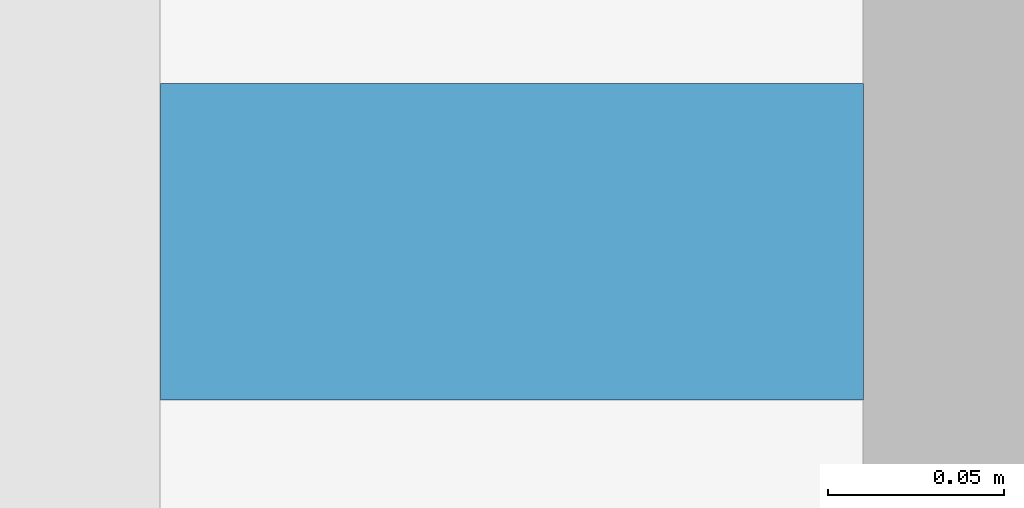
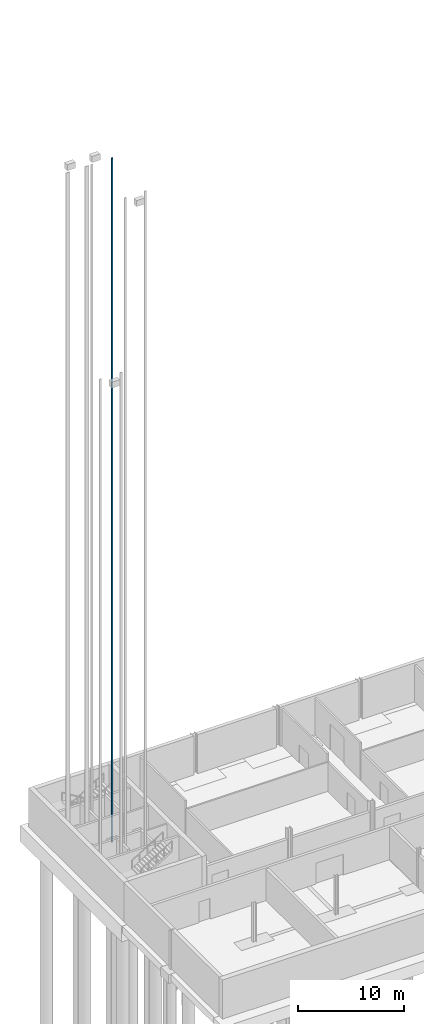
# One storey, part 25 of 41: 1 discrete accessory.
"""IFC4 building model written with IfcOpenShell, lengths in metres."""

from ifc_helpers import new_model, si_unit, direction, frame, origin, origin_2d, place, context, subcontext, project, spatial, rectangle, extrude, material, type_object, element, save


model = new_model("IFC4")

# Units and contexts
model_context = context("Model", 3, precision=1e-05, world=origin(), true_north=direction((0.0, 1.0)))
body_context = subcontext(model_context, "Body", "Model", "MODEL_VIEW")
ifc_project = project(units=[si_unit("LENGTHUNIT", "METRE"), si_unit("AREAUNIT", "SQUARE_METRE"), si_unit("VOLUMEUNIT", "CUBIC_METRE"), si_unit("PLANEANGLEUNIT", "RADIAN"), si_unit("MASSUNIT", "GRAM", prefix="KILO")], contexts=[model_context])

# Site, building, storey
site_placement = place(None, origin())
site = spatial("IfcSite", under=ifc_project, at=site_placement, CompositionType="ELEMENT")
building_placement = place(site_placement, origin())
building = spatial("IfcBuilding", under=site, at=building_placement, Name="Corbel Yard City Hall", CompositionType="ELEMENT")
storey_placement = place(building_placement, frame((0.0, 0.0, -4.5)))
storey = spatial("IfcBuildingStorey", under=building, at=storey_placement, Name="B1", CompositionType="ELEMENT", Elevation=-4.5)

# Discrete accessory
ifc_material = material(Name="Steel Grade G250", Category="steel")
discrete_accessory_type = type_object("IfcDiscreteAccessoryType", Name="LR1", PredefinedType="USERDEFINED", material=ifc_material)
discrete_accessory_placement = place(storey_placement, frame((5.550048828125, 110.85009765625, 0.0), z_axis=(0.0, 0.0, 1.0), x_axis=(1.0, 0.0, 0.0)))
element("IfcDiscreteAccessory", 1, at=discrete_accessory_placement, inside=storey, type_object=discrete_accessory_type, Name="Lift LP24 guide rail 2", ObjectType="GUIDE RAIL", PredefinedType="USERDEFINED", context=body_context, shape_type="SweptSolid", body=[
    extrude(rectangle(XDim=0.199951171875, YDim=0.090087890625, at=origin_2d()), origin(), (0.0, 0.0, 1.0), 79.0),
])

save(model, "model.ifc")
